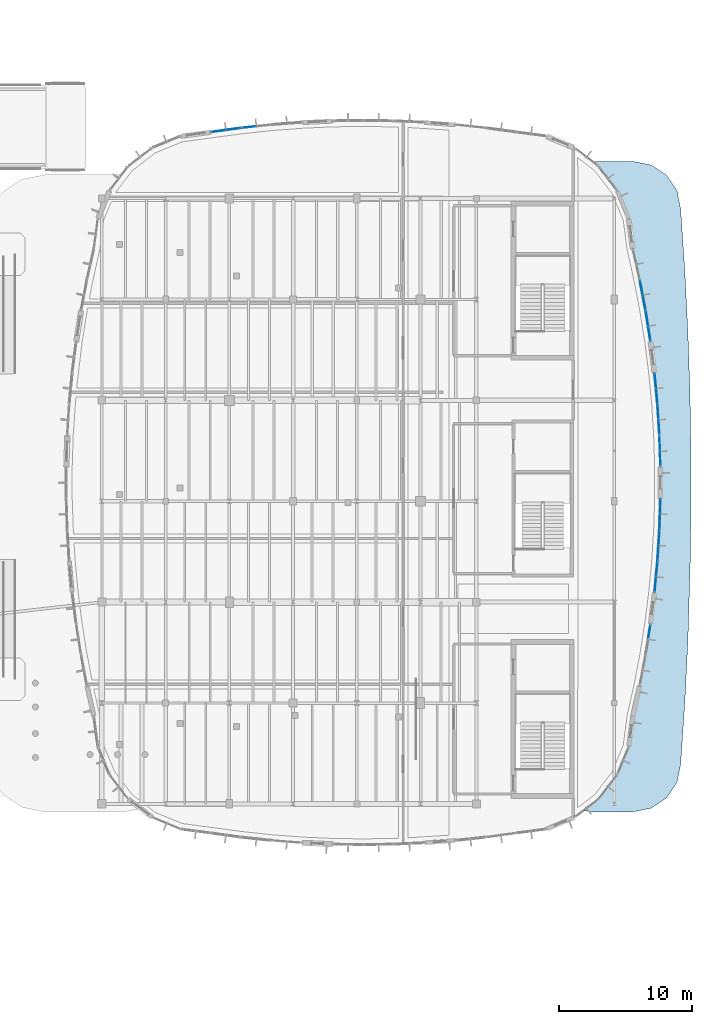
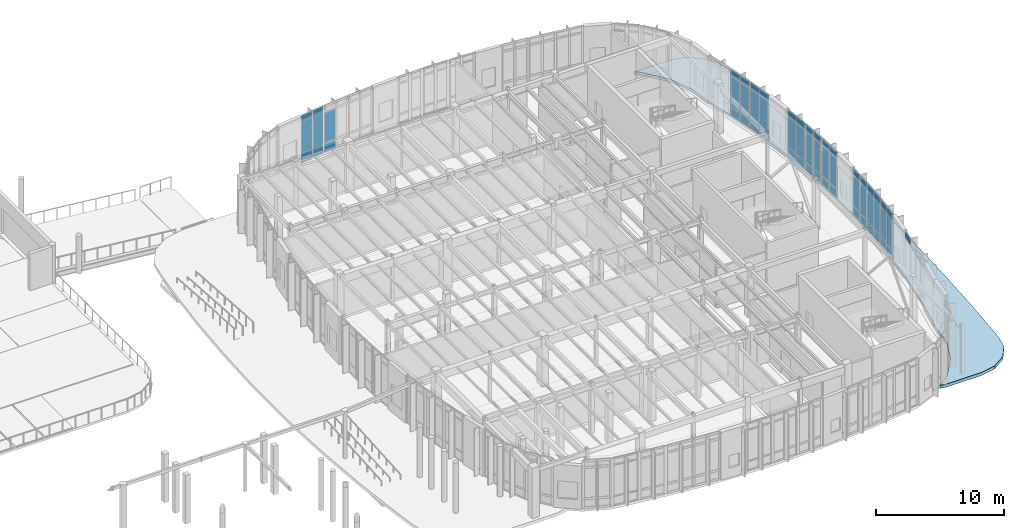
# One storey, part 84 of 120: 57 plates, 1 slab, 11 elements without a shape of their own.
"""IFC4 building model written with IfcOpenShell, lengths in metres."""

from ifc_helpers import new_model, si_unit, direction, frame, origin, origin_2d, place, context, subcontext, project, spatial, polyline, rectangle, outline, extrude, material, layer, layer_set, type_object, element, aggregate, save


model = new_model("IFC4")

# Units and contexts
model_context = context("Model", 3, precision=1e-05, world=origin(), true_north=direction((0.0, 1.0)))
body_context = subcontext(model_context, "Body", "Model", "MODEL_VIEW")
ifc_project = project(units=[si_unit("LENGTHUNIT", "METRE"), si_unit("AREAUNIT", "SQUARE_METRE"), si_unit("VOLUMEUNIT", "CUBIC_METRE"), si_unit("PLANEANGLEUNIT", "RADIAN"), si_unit("MASSUNIT", "GRAM", prefix="KILO")], contexts=[model_context])

# Site, building, storey
site_placement = place(None, origin())
site = spatial("IfcSite", under=ifc_project, at=site_placement, CompositionType="ELEMENT")
building_placement = place(site_placement, origin())
building = spatial("IfcBuilding", under=site, at=building_placement, Name="Corveleigh Park Community Centre", CompositionType="ELEMENT")
storey_placement = place(building_placement, origin())
storey = spatial("IfcBuildingStorey", under=building, at=storey_placement, Name="L00", CompositionType="ELEMENT", Elevation=0.0)

# Curtain wall, plate
ifc_material_1 = material(Name="Anodised aluminium 6063-T6", Category="aluminium")
curtain_wall_type = type_object("IfcCurtainWallType", Name="CW-SYS-V4-L00", PredefinedType="NOTDEFINED", material=ifc_material_1)
curtain_wall_1_placement = place(storey_placement, origin())
curtain_wall_1 = element("IfcCurtainWall", 1, at=curtain_wall_1_placement, inside=storey, type_object=curtain_wall_type, Name="V4 L00 Curtain Wall 121", PredefinedType="NOTDEFINED")
ifc_material_2 = material(Name="Low-E double glazing", Category="glass")
ifc_layer_1 = layer(ifc_material_2, 0.02392578125, Name="Low-E double glazing", Category="glass")
ifc_layer_set_1 = layer_set([ifc_layer_1], Name="Low-E double glazing")
plate_type_1 = type_object("IfcPlateType", Name="CWP-GLZ-24", PredefinedType="CURTAIN_PANEL", material=ifc_layer_set_1)
plate_1_placement = place(storey_placement, frame((171.037353515625, 71.572998046875, 3.89208984375), z_axis=(0.0, 0.0, 1.0), x_axis=(-0.157011297563, -0.987596806616, 0.0)))
plate_1 = element("IfcPlate", 2, at=plate_1_placement, type_object=plate_type_1, Name="CW07 panel 1.3", PredefinedType="CURTAIN_PANEL", context=body_context, shape_type="SweptSolid", body=[
    extrude(rectangle(XDim=1.0849609375, YDim=0.02392578125, at=origin_2d()), origin(), (0.0, 0.0, 1.0), 0.56005859375),
])
aggregate(curtain_wall_1, [plate_1])

# Curtain wall, plates
curtain_wall_2_placement = place(storey_placement, origin())
curtain_wall_2 = element("IfcCurtainWall", 3, at=curtain_wall_2_placement, inside=storey, type_object=curtain_wall_type, Name="V4 L00 Curtain Wall 122", PredefinedType="NOTDEFINED")
plate_2_placement = place(storey_placement, frame((171.59619140625, 76.27490234375, 0.06494140625), z_axis=(0.0, 0.0, 1.0), x_axis=(-0.094026030916, -0.995569739149, 0.0)))
plate_2 = element("IfcPlate", 4, at=plate_2_placement, type_object=plate_type_1, Name="CW07 panel 1.1", PredefinedType="CURTAIN_PANEL", context=body_context, shape_type="SweptSolid", body=[
    extrude(rectangle(XDim=1.07763671875, YDim=0.02392578125, at=origin_2d()), origin(), (0.0, 0.0, 1.0), 0.802490234375),
])
plate_3_placement = place(storey_placement, frame((171.59619140625, 76.27490234375, 0.9326171875), z_axis=(0.0, 0.0, 1.0), x_axis=(-0.094026030916, -0.995569739149, 0.0)))
plate_3 = element("IfcPlate", 5, at=plate_3_placement, type_object=plate_type_1, Name="CW07 panel 1.2", PredefinedType="CURTAIN_PANEL", context=body_context, shape_type="SweptSolid", body=[
    extrude(rectangle(XDim=1.07763671875, YDim=0.02392578125, at=origin_2d()), origin(), (0.0, 0.0, 1.0), 2.89697265625),
])
plate_4_placement = place(storey_placement, frame((171.59619140625, 76.27490234375, 3.89453125), z_axis=(0.0, 0.0, 1.0), x_axis=(-0.094026030916, -0.995569739149, 0.0)))
plate_4 = element("IfcPlate", 6, at=plate_4_placement, type_object=plate_type_1, Name="CW07 panel 1.3", PredefinedType="CURTAIN_PANEL", context=body_context, shape_type="SweptSolid", body=[
    extrude(rectangle(XDim=1.07763671875, YDim=0.02392578125, at=origin_2d()), origin(), (0.0, 0.0, 1.0), 0.552490234375),
])
plate_5_placement = place(storey_placement, frame((171.48876953125, 75.13720703125, 0.06494140625), z_axis=(0.0, 0.0, 1.0), x_axis=(-0.094026030916, -0.995569739149, 0.0)))
plate_5 = element("IfcPlate", 7, at=plate_5_placement, type_object=plate_type_1, Name="CW07 panel 2.1", PredefinedType="CURTAIN_PANEL", context=body_context, shape_type="SweptSolid", body=[
    extrude(rectangle(XDim=1.07763671875, YDim=0.02392578125, at=origin_2d()), origin(), (0.0, 0.0, 1.0), 0.802490234375),
])
plate_6_placement = place(storey_placement, frame((171.48876953125, 75.13720703125, 0.9326171875), z_axis=(0.0, 0.0, 1.0), x_axis=(-0.094026030916, -0.995569739149, 0.0)))
plate_6 = element("IfcPlate", 8, at=plate_6_placement, type_object=plate_type_1, Name="CW07 panel 2.2", PredefinedType="CURTAIN_PANEL", context=body_context, shape_type="SweptSolid", body=[
    extrude(rectangle(XDim=1.07763671875, YDim=0.02392578125, at=origin_2d()), origin(), (0.0, 0.0, 1.0), 2.89697265625),
])
plate_7_placement = place(storey_placement, frame((171.48876953125, 75.13720703125, 3.89453125), z_axis=(0.0, 0.0, 1.0), x_axis=(-0.094026030916, -0.995569739149, 0.0)))
plate_7 = element("IfcPlate", 9, at=plate_7_placement, type_object=plate_type_1, Name="CW07 panel 2.3", PredefinedType="CURTAIN_PANEL", context=body_context, shape_type="SweptSolid", body=[
    extrude(rectangle(XDim=1.07763671875, YDim=0.02392578125, at=origin_2d()), origin(), (0.0, 0.0, 1.0), 0.552490234375),
])
aggregate(curtain_wall_2, [plate_2, plate_3, plate_4, plate_5, plate_6, plate_7])

curtain_wall_3_placement = place(storey_placement, origin())
curtain_wall_3 = element("IfcCurtainWall", 10, at=curtain_wall_3_placement, inside=storey, type_object=curtain_wall_type, Name="V4 L00 Curtain Wall 123", PredefinedType="NOTDEFINED")
ifc_layer_2 = layer(ifc_material_2, 0.028076171875, Name="Low-E double glazing", Category="glass")
ifc_layer_set_2 = layer_set([ifc_layer_2], Name="Low-E double glazing")
plate_type_2 = type_object("IfcPlateType", Name="CWP-GLZ-28", PredefinedType="CURTAIN_PANEL", material=ifc_layer_set_2)
plate_8_placement = place(storey_placement, frame((171.76416015625, 78.63525390625, 0.070068359375), z_axis=(0.0, 0.0, 1.0), x_axis=(-0.062563762233, -0.998040968926, 0.0)))
plate_8 = element("IfcPlate", 11, at=plate_8_placement, type_object=plate_type_2, Name="CW07 panel 1.1", PredefinedType="CURTAIN_PANEL", context=body_context, shape_type="SweptSolid", body=[
    extrude(rectangle(XDim=1.06982421875, YDim=0.028076171875, at=origin_2d()), origin(), (0.0, 0.0, 1.0), 0.794921875),
])
plate_9_placement = place(storey_placement, frame((171.76416015625, 78.63525390625, 0.93505859375), z_axis=(0.0, 0.0, 1.0), x_axis=(-0.062563762233, -0.998040968926, 0.0)))
plate_9 = element("IfcPlate", 12, at=plate_9_placement, type_object=plate_type_2, Name="CW07 panel 1.2", PredefinedType="CURTAIN_PANEL", context=body_context, shape_type="SweptSolid", body=[
    extrude(rectangle(XDim=1.06982421875, YDim=0.028076171875, at=origin_2d()), origin(), (0.0, 0.0, 1.0), 2.89208984375),
])
plate_10_placement = place(storey_placement, frame((171.76416015625, 78.63525390625, 3.89697265625), z_axis=(0.0, 0.0, 1.0), x_axis=(-0.062563762233, -0.998040968926, 0.0)))
plate_10 = element("IfcPlate", 13, at=plate_10_placement, type_object=plate_type_2, Name="CW07 panel 1.3", PredefinedType="CURTAIN_PANEL", context=body_context, shape_type="SweptSolid", body=[
    extrude(rectangle(XDim=1.06982421875, YDim=0.028076171875, at=origin_2d()), origin(), (0.0, 0.0, 1.0), 0.544921875),
])
plate_11_placement = place(storey_placement, frame((171.69287109375, 77.497802734375, 0.070068359375), z_axis=(0.0, 0.0, 1.0), x_axis=(-0.062563762233, -0.998040968926, 0.0)))
plate_11 = element("IfcPlate", 14, at=plate_11_placement, type_object=plate_type_2, Name="CW07 panel 2.1", PredefinedType="CURTAIN_PANEL", context=body_context, shape_type="SweptSolid", body=[
    extrude(rectangle(XDim=1.06982421875, YDim=0.028076171875, at=origin_2d()), origin(), (0.0, 0.0, 1.0), 0.794921875),
])
plate_12_placement = place(storey_placement, frame((171.69287109375, 77.497802734375, 0.93505859375), z_axis=(0.0, 0.0, 1.0), x_axis=(-0.062563762233, -0.998040968926, 0.0)))
plate_12 = element("IfcPlate", 15, at=plate_12_placement, type_object=plate_type_2, Name="CW07 panel 2.2", PredefinedType="CURTAIN_PANEL", context=body_context, shape_type="SweptSolid", body=[
    extrude(rectangle(XDim=1.06982421875, YDim=0.028076171875, at=origin_2d()), origin(), (0.0, 0.0, 1.0), 2.89208984375),
])
plate_13_placement = place(storey_placement, frame((171.69287109375, 77.497802734375, 3.89697265625), z_axis=(0.0, 0.0, 1.0), x_axis=(-0.062563762233, -0.998040968926, 0.0)))
plate_13 = element("IfcPlate", 16, at=plate_13_placement, type_object=plate_type_2, Name="CW07 panel 2.3", PredefinedType="CURTAIN_PANEL", context=body_context, shape_type="SweptSolid", body=[
    extrude(rectangle(XDim=1.06982421875, YDim=0.028076171875, at=origin_2d()), origin(), (0.0, 0.0, 1.0), 0.544921875),
])
aggregate(curtain_wall_3, [plate_8, plate_9, plate_10, plate_11, plate_12, plate_13])

curtain_wall_4_placement = place(storey_placement, origin())
curtain_wall_4 = element("IfcCurtainWall", 17, at=curtain_wall_4_placement, inside=storey, type_object=curtain_wall_type, Name="V4 L00 Curtain Wall 124", PredefinedType="NOTDEFINED")
plate_14_placement = place(storey_placement, frame((171.858642578125, 81.000732421875, 0.074951171875), z_axis=(0.0, 0.0, 1.0), x_axis=(-0.031898652394, -0.999491108502, 0.0)))
plate_14 = element("IfcPlate", 18, at=plate_14_placement, type_object=plate_type_2, Name="CW07 panel 1.1", PredefinedType="CURTAIN_PANEL", context=body_context, shape_type="SweptSolid", body=[
    extrude(rectangle(XDim=1.06298828125, YDim=0.028076171875, at=origin_2d()), origin(), (0.0, 0.0, 1.0), 0.78759765625),
])
plate_15_placement = place(storey_placement, frame((171.858642578125, 81.000732421875, 0.9375), z_axis=(0.0, 0.0, 1.0), x_axis=(-0.031898652394, -0.999491108502, 0.0)))
plate_15 = element("IfcPlate", 19, at=plate_15_placement, type_object=plate_type_2, Name="CW07 panel 1.2", PredefinedType="CURTAIN_PANEL", context=body_context, shape_type="SweptSolid", body=[
    extrude(rectangle(XDim=1.06298828125, YDim=0.028076171875, at=origin_2d()), origin(), (0.0, 0.0, 1.0), 2.886962890625),
])
plate_16_placement = place(storey_placement, frame((171.858642578125, 81.000732421875, 3.8994140625), z_axis=(0.0, 0.0, 1.0), x_axis=(-0.031898652394, -0.999491108502, 0.0)))
plate_16 = element("IfcPlate", 20, at=plate_16_placement, type_object=plate_type_2, Name="CW07 panel 1.3", PredefinedType="CURTAIN_PANEL", context=body_context, shape_type="SweptSolid", body=[
    extrude(rectangle(XDim=1.06298828125, YDim=0.028076171875, at=origin_2d()), origin(), (0.0, 0.0, 1.0), 0.53759765625),
])
plate_17_placement = place(storey_placement, frame((171.822265625, 79.86328125, 0.074951171875), z_axis=(0.0, 0.0, 1.0), x_axis=(-0.031898652394, -0.999491108502, 0.0)))
plate_17 = element("IfcPlate", 21, at=plate_17_placement, type_object=plate_type_2, Name="CW07 panel 2.1", PredefinedType="CURTAIN_PANEL", context=body_context, shape_type="SweptSolid", body=[
    extrude(rectangle(XDim=1.06298828125, YDim=0.028076171875, at=origin_2d()), origin(), (0.0, 0.0, 1.0), 0.78759765625),
])
plate_18_placement = place(storey_placement, frame((171.822265625, 79.86328125, 0.9375), z_axis=(0.0, 0.0, 1.0), x_axis=(-0.031898652394, -0.999491108502, 0.0)))
plate_18 = element("IfcPlate", 22, at=plate_18_placement, type_object=plate_type_2, Name="CW07 panel 2.2", PredefinedType="CURTAIN_PANEL", context=body_context, shape_type="SweptSolid", body=[
    extrude(rectangle(XDim=1.06298828125, YDim=0.028076171875, at=origin_2d()), origin(), (0.0, 0.0, 1.0), 2.886962890625),
])
plate_19_placement = place(storey_placement, frame((171.822265625, 79.86328125, 3.8994140625), z_axis=(0.0, 0.0, 1.0), x_axis=(-0.031898652394, -0.999491108502, 0.0)))
plate_19 = element("IfcPlate", 23, at=plate_19_placement, type_object=plate_type_2, Name="CW07 panel 2.3", PredefinedType="CURTAIN_PANEL", context=body_context, shape_type="SweptSolid", body=[
    extrude(rectangle(XDim=1.06298828125, YDim=0.028076171875, at=origin_2d()), origin(), (0.0, 0.0, 1.0), 0.53759765625),
])
aggregate(curtain_wall_4, [plate_14, plate_15, plate_16, plate_17, plate_18, plate_19])

curtain_wall_5_placement = place(storey_placement, origin())
curtain_wall_5 = element("IfcCurtainWall", 24, at=curtain_wall_5_placement, inside=storey, type_object=curtain_wall_type, Name="V4 L00 Curtain Wall 125", PredefinedType="NOTDEFINED")
ifc_layer_3 = layer(ifc_material_2, 0.031982421875, Name="Low-E double glazing", Category="glass")
ifc_layer_set_3 = layer_set([ifc_layer_3], Name="Low-E double glazing")
plate_type_3 = type_object("IfcPlateType", Name="CWP-GLZ-32", PredefinedType="CURTAIN_PANEL", material=ifc_layer_set_3)
plate_20_placement = place(storey_placement, frame((171.822509765625, 85.735595703125, 0.080078125), z_axis=(0.0, 0.0, 1.0), x_axis=(0.031898652394, -0.999491108502, 0.0)))
plate_20 = element("IfcPlate", 25, at=plate_20_placement, type_object=plate_type_3, Name="CW07 panel 1.1", PredefinedType="CURTAIN_PANEL", context=body_context, shape_type="SweptSolid", body=[
    extrude(rectangle(XDim=1.0556640625, YDim=0.031982421875, at=origin_2d()), origin(), (0.0, 0.0, 1.0), 0.780029296875),
])
plate_21_placement = place(storey_placement, frame((171.822509765625, 85.735595703125, 0.93994140625), z_axis=(0.0, 0.0, 1.0), x_axis=(0.031898652394, -0.999491108502, 0.0)))
plate_21 = element("IfcPlate", 26, at=plate_21_placement, type_object=plate_type_3, Name="CW07 panel 1.2", PredefinedType="CURTAIN_PANEL", context=body_context, shape_type="SweptSolid", body=[
    extrude(rectangle(XDim=1.0556640625, YDim=0.031982421875, at=origin_2d()), origin(), (0.0, 0.0, 1.0), 2.882080078125),
])
plate_22_placement = place(storey_placement, frame((171.822509765625, 85.735595703125, 3.90185546875), z_axis=(0.0, 0.0, 1.0), x_axis=(0.031898652394, -0.999491108502, 0.0)))
plate_22 = element("IfcPlate", 27, at=plate_22_placement, type_object=plate_type_3, Name="CW07 panel 1.3", PredefinedType="CURTAIN_PANEL", context=body_context, shape_type="SweptSolid", body=[
    extrude(rectangle(XDim=1.0556640625, YDim=0.031982421875, at=origin_2d()), origin(), (0.0, 0.0, 1.0), 0.530029296875),
])
plate_23_placement = place(storey_placement, frame((171.858642578125, 84.6005859375, 0.080078125), z_axis=(0.0, 0.0, 1.0), x_axis=(0.031898652394, -0.999491108502, 0.0)))
plate_23 = element("IfcPlate", 28, at=plate_23_placement, type_object=plate_type_3, Name="CW07 panel 2.1", PredefinedType="CURTAIN_PANEL", context=body_context, shape_type="SweptSolid", body=[
    extrude(rectangle(XDim=1.0556640625, YDim=0.031982421875, at=origin_2d()), origin(), (0.0, 0.0, 1.0), 0.780029296875),
])
plate_24_placement = place(storey_placement, frame((171.858642578125, 84.6005859375, 0.93994140625), z_axis=(0.0, 0.0, 1.0), x_axis=(0.031898652394, -0.999491108502, 0.0)))
plate_24 = element("IfcPlate", 29, at=plate_24_placement, type_object=plate_type_3, Name="CW07 panel 2.2", PredefinedType="CURTAIN_PANEL", context=body_context, shape_type="SweptSolid", body=[
    extrude(rectangle(XDim=1.0556640625, YDim=0.031982421875, at=origin_2d()), origin(), (0.0, 0.0, 1.0), 2.882080078125),
])
plate_25_placement = place(storey_placement, frame((171.858642578125, 84.6005859375, 3.90185546875), z_axis=(0.0, 0.0, 1.0), x_axis=(0.031898652394, -0.999491108502, 0.0)))
plate_25 = element("IfcPlate", 30, at=plate_25_placement, type_object=plate_type_3, Name="CW07 panel 2.3", PredefinedType="CURTAIN_PANEL", context=body_context, shape_type="SweptSolid", body=[
    extrude(rectangle(XDim=1.0556640625, YDim=0.031982421875, at=origin_2d()), origin(), (0.0, 0.0, 1.0), 0.530029296875),
])
aggregate(curtain_wall_5, [plate_20, plate_21, plate_22, plate_23, plate_24, plate_25])

curtain_wall_6_placement = place(storey_placement, origin())
curtain_wall_6 = element("IfcCurtainWall", 31, at=curtain_wall_6_placement, inside=storey, type_object=curtain_wall_type, Name="V4 L00 Curtain Wall 126", PredefinedType="NOTDEFINED")
plate_26_placement = place(storey_placement, frame((171.693115234375, 88.0986328125, 0.06005859375), z_axis=(0.0, 0.0, 1.0), x_axis=(0.062563762233, -0.998040968926, 0.0)))
plate_26 = element("IfcPlate", 32, at=plate_26_placement, type_object=plate_type_3, Name="CW07 panel 1.1", PredefinedType="CURTAIN_PANEL", context=body_context, shape_type="SweptSolid", body=[
    extrude(rectangle(XDim=1.04736328125, YDim=0.031982421875, at=origin_2d()), origin(), (0.0, 0.0, 1.0), 0.81005859375),
])
plate_27_placement = place(storey_placement, frame((171.693115234375, 88.0986328125, 0.93017578125), z_axis=(0.0, 0.0, 1.0), x_axis=(0.062563762233, -0.998040968926, 0.0)))
plate_27 = element("IfcPlate", 33, at=plate_27_placement, type_object=plate_type_3, Name="CW07 panel 1.2", PredefinedType="CURTAIN_PANEL", context=body_context, shape_type="SweptSolid", body=[
    extrude(rectangle(XDim=1.04736328125, YDim=0.031982421875, at=origin_2d()), origin(), (0.0, 0.0, 1.0), 2.902099609375),
])
plate_28_placement = place(storey_placement, frame((171.693115234375, 88.0986328125, 3.89208984375), z_axis=(0.0, 0.0, 1.0), x_axis=(0.062563762233, -0.998040968926, 0.0)))
plate_28 = element("IfcPlate", 34, at=plate_28_placement, type_object=plate_type_3, Name="CW07 panel 1.3", PredefinedType="CURTAIN_PANEL", context=body_context, shape_type="SweptSolid", body=[
    extrude(rectangle(XDim=1.04736328125, YDim=0.031982421875, at=origin_2d()), origin(), (0.0, 0.0, 1.0), 0.56005859375),
])
plate_29_placement = place(storey_placement, frame((171.763916015625, 86.968505859375, 0.06005859375), z_axis=(0.0, 0.0, 1.0), x_axis=(0.062563762233, -0.998040968926, 0.0)))
plate_29 = element("IfcPlate", 35, at=plate_29_placement, type_object=plate_type_3, Name="CW07 panel 2.1", PredefinedType="CURTAIN_PANEL", context=body_context, shape_type="SweptSolid", body=[
    extrude(rectangle(XDim=1.04736328125, YDim=0.031982421875, at=origin_2d()), origin(), (0.0, 0.0, 1.0), 0.81005859375),
])
plate_30_placement = place(storey_placement, frame((171.763916015625, 86.968505859375, 0.93017578125), z_axis=(0.0, 0.0, 1.0), x_axis=(0.062563762233, -0.998040968926, 0.0)))
plate_30 = element("IfcPlate", 36, at=plate_30_placement, type_object=plate_type_3, Name="CW07 panel 2.2", PredefinedType="CURTAIN_PANEL", context=body_context, shape_type="SweptSolid", body=[
    extrude(rectangle(XDim=1.04736328125, YDim=0.031982421875, at=origin_2d()), origin(), (0.0, 0.0, 1.0), 2.902099609375),
])
plate_31_placement = place(storey_placement, frame((171.763916015625, 86.968505859375, 3.89208984375), z_axis=(0.0, 0.0, 1.0), x_axis=(0.062563762233, -0.998040968926, 0.0)))
plate_31 = element("IfcPlate", 37, at=plate_31_placement, type_object=plate_type_3, Name="CW07 panel 2.3", PredefinedType="CURTAIN_PANEL", context=body_context, shape_type="SweptSolid", body=[
    extrude(rectangle(XDim=1.04736328125, YDim=0.031982421875, at=origin_2d()), origin(), (0.0, 0.0, 1.0), 0.56005859375),
])
aggregate(curtain_wall_6, [plate_26, plate_27, plate_28, plate_29, plate_30, plate_31])

curtain_wall_7_placement = place(storey_placement, origin())
curtain_wall_7 = element("IfcCurtainWall", 38, at=curtain_wall_7_placement, inside=storey, type_object=curtain_wall_type, Name="V4 L00 Curtain Wall 127", PredefinedType="NOTDEFINED")
ifc_layer_4 = layer(ifc_material_2, 0.035888671875, Name="Low-E double glazing", Category="glass")
ifc_layer_set_4 = layer_set([ifc_layer_4], Name="Low-E double glazing")
plate_type_4 = type_object("IfcPlateType", Name="CWP-GLZ-36", PredefinedType="CURTAIN_PANEL", material=ifc_layer_set_4)
plate_32_placement = place(storey_placement, frame((171.48876953125, 90.464111328125, 0.06494140625), z_axis=(0.0, 0.0, 1.0), x_axis=(0.094026030916, -0.995569739149, 0.0)))
plate_32 = element("IfcPlate", 39, at=plate_32_placement, type_object=plate_type_4, Name="CW07 panel 1.1", PredefinedType="CURTAIN_PANEL", context=body_context, shape_type="SweptSolid", body=[
    extrude(rectangle(XDim=1.085205078125, YDim=0.035888671875, at=origin_2d()), origin(), (0.0, 0.0, 1.0), 0.802490234375),
])
plate_33_placement = place(storey_placement, frame((171.48876953125, 90.464111328125, 0.9326171875), z_axis=(0.0, 0.0, 1.0), x_axis=(0.094026030916, -0.995569739149, 0.0)))
plate_33 = element("IfcPlate", 40, at=plate_33_placement, type_object=plate_type_4, Name="CW07 panel 1.2", PredefinedType="CURTAIN_PANEL", context=body_context, shape_type="SweptSolid", body=[
    extrude(rectangle(XDim=1.085205078125, YDim=0.035888671875, at=origin_2d()), origin(), (0.0, 0.0, 1.0), 2.89697265625),
])
plate_34_placement = place(storey_placement, frame((171.48876953125, 90.464111328125, 3.89453125), z_axis=(0.0, 0.0, 1.0), x_axis=(0.094026030916, -0.995569739149, 0.0)))
plate_34 = element("IfcPlate", 41, at=plate_34_placement, type_object=plate_type_4, Name="CW07 panel 1.3", PredefinedType="CURTAIN_PANEL", context=body_context, shape_type="SweptSolid", body=[
    extrude(rectangle(XDim=1.085205078125, YDim=0.035888671875, at=origin_2d()), origin(), (0.0, 0.0, 1.0), 0.552490234375),
])
plate_35_placement = place(storey_placement, frame((171.596435546875, 89.323974609375, 0.06494140625), z_axis=(0.0, 0.0, 1.0), x_axis=(0.094026030916, -0.995569739149, 0.0)))
plate_35 = element("IfcPlate", 42, at=plate_35_placement, type_object=plate_type_4, Name="CW07 panel 2.1", PredefinedType="CURTAIN_PANEL", context=body_context, shape_type="SweptSolid", body=[
    extrude(rectangle(XDim=1.085205078125, YDim=0.035888671875, at=origin_2d()), origin(), (0.0, 0.0, 1.0), 0.802490234375),
])
plate_36_placement = place(storey_placement, frame((171.596435546875, 89.323974609375, 0.9326171875), z_axis=(0.0, 0.0, 1.0), x_axis=(0.094026030916, -0.995569739149, 0.0)))
plate_36 = element("IfcPlate", 43, at=plate_36_placement, type_object=plate_type_4, Name="CW07 panel 2.2", PredefinedType="CURTAIN_PANEL", context=body_context, shape_type="SweptSolid", body=[
    extrude(rectangle(XDim=1.085205078125, YDim=0.035888671875, at=origin_2d()), origin(), (0.0, 0.0, 1.0), 2.89697265625),
])
plate_37_placement = place(storey_placement, frame((171.596435546875, 89.323974609375, 3.89453125), z_axis=(0.0, 0.0, 1.0), x_axis=(0.094026030916, -0.995569739149, 0.0)))
plate_37 = element("IfcPlate", 44, at=plate_37_placement, type_object=plate_type_4, Name="CW07 panel 2.3", PredefinedType="CURTAIN_PANEL", context=body_context, shape_type="SweptSolid", body=[
    extrude(rectangle(XDim=1.085205078125, YDim=0.035888671875, at=origin_2d()), origin(), (0.0, 0.0, 1.0), 0.552490234375),
])
aggregate(curtain_wall_7, [plate_32, plate_33, plate_34, plate_35, plate_36, plate_37])

curtain_wall_8_placement = place(storey_placement, origin())
curtain_wall_8 = element("IfcCurtainWall", 45, at=curtain_wall_8_placement, inside=storey, type_object=curtain_wall_type, Name="V4 L00 Curtain Wall 128", PredefinedType="NOTDEFINED")
plate_38_placement = place(storey_placement, frame((170.85791015625, 95.15673828125, 0.070068359375), z_axis=(0.0, 0.0, 1.0), x_axis=(0.157011297563, -0.987596806616, 0.0)))
plate_38 = element("IfcPlate", 46, at=plate_38_placement, type_object=plate_type_4, Name="CW07 panel 1.1", PredefinedType="CURTAIN_PANEL", context=body_context, shape_type="SweptSolid", body=[
    extrude(rectangle(XDim=1.07763671875, YDim=0.035888671875, at=origin_2d()), origin(), (0.0, 0.0, 1.0), 0.794921875),
])
plate_39_placement = place(storey_placement, frame((170.85791015625, 95.15673828125, 0.93505859375), z_axis=(0.0, 0.0, 1.0), x_axis=(0.157011297563, -0.987596806616, 0.0)))
plate_39 = element("IfcPlate", 47, at=plate_39_placement, type_object=plate_type_4, Name="CW07 panel 1.2", PredefinedType="CURTAIN_PANEL", context=body_context, shape_type="SweptSolid", body=[
    extrude(rectangle(XDim=1.07763671875, YDim=0.035888671875, at=origin_2d()), origin(), (0.0, 0.0, 1.0), 2.89208984375),
])
plate_40_placement = place(storey_placement, frame((170.85791015625, 95.15673828125, 3.89697265625), z_axis=(0.0, 0.0, 1.0), x_axis=(0.157011297563, -0.987596806616, 0.0)))
plate_40 = element("IfcPlate", 48, at=plate_40_placement, type_object=plate_type_4, Name="CW07 panel 1.3", PredefinedType="CURTAIN_PANEL", context=body_context, shape_type="SweptSolid", body=[
    extrude(rectangle(XDim=1.07763671875, YDim=0.035888671875, at=origin_2d()), origin(), (0.0, 0.0, 1.0), 0.544921875),
])
plate_41_placement = place(storey_placement, frame((171.037109375, 94.0283203125, 0.070068359375), z_axis=(0.0, 0.0, 1.0), x_axis=(0.157011297563, -0.987596806616, 0.0)))
plate_41 = element("IfcPlate", 49, at=plate_41_placement, type_object=plate_type_4, Name="CW07 panel 2.1", PredefinedType="CURTAIN_PANEL", context=body_context, shape_type="SweptSolid", body=[
    extrude(rectangle(XDim=1.07763671875, YDim=0.035888671875, at=origin_2d()), origin(), (0.0, 0.0, 1.0), 0.794921875),
])
plate_42_placement = place(storey_placement, frame((171.037109375, 94.0283203125, 0.93505859375), z_axis=(0.0, 0.0, 1.0), x_axis=(0.157011297563, -0.987596806616, 0.0)))
plate_42 = element("IfcPlate", 50, at=plate_42_placement, type_object=plate_type_4, Name="CW07 panel 2.2", PredefinedType="CURTAIN_PANEL", context=body_context, shape_type="SweptSolid", body=[
    extrude(rectangle(XDim=1.07763671875, YDim=0.035888671875, at=origin_2d()), origin(), (0.0, 0.0, 1.0), 2.89208984375),
])
plate_43_placement = place(storey_placement, frame((171.037109375, 94.0283203125, 3.89697265625), z_axis=(0.0, 0.0, 1.0), x_axis=(0.157011297563, -0.987596806616, 0.0)))
plate_43 = element("IfcPlate", 51, at=plate_43_placement, type_object=plate_type_4, Name="CW07 panel 2.3", PredefinedType="CURTAIN_PANEL", context=body_context, shape_type="SweptSolid", body=[
    extrude(rectangle(XDim=1.07763671875, YDim=0.035888671875, at=origin_2d()), origin(), (0.0, 0.0, 1.0), 0.544921875),
])
aggregate(curtain_wall_8, [plate_38, plate_39, plate_40, plate_41, plate_42, plate_43])

curtain_wall_9_placement = place(storey_placement, origin())
curtain_wall_9 = element("IfcCurtainWall", 52, at=curtain_wall_9_placement, inside=storey, type_object=curtain_wall_type, Name="V4 L00 Curtain Wall 140", PredefinedType="NOTDEFINED")
plate_44_placement = place(storey_placement, frame((140.881591796875, 109.578369140625, 0.080078125), z_axis=(0.0, 0.0, 1.0), x_axis=(0.994358586711, 0.106070735992, 0.0)))
plate_44 = element("IfcPlate", 53, at=plate_44_placement, type_object=plate_type_4, Name="CW07 panel 1.1", PredefinedType="CURTAIN_PANEL", context=body_context, shape_type="SweptSolid", body=[
    extrude(rectangle(XDim=1.0478515625, YDim=0.035888671875, at=origin_2d()), origin(), (0.0, 0.0, 1.0), 0.780029296875),
])
plate_45_placement = place(storey_placement, frame((140.881591796875, 109.578369140625, 0.93994140625), z_axis=(0.0, 0.0, 1.0), x_axis=(0.994358586711, 0.106070735992, 0.0)))
plate_45 = element("IfcPlate", 54, at=plate_45_placement, type_object=plate_type_4, Name="CW07 panel 1.2", PredefinedType="CURTAIN_PANEL", context=body_context, shape_type="SweptSolid", body=[
    extrude(rectangle(XDim=1.0478515625, YDim=0.035888671875, at=origin_2d()), origin(), (0.0, 0.0, 1.0), 2.882080078125),
])
aggregate(curtain_wall_9, [plate_44, plate_45])

curtain_wall_10_placement = place(storey_placement, origin())
curtain_wall_10 = element("IfcCurtainWall", 55, at=curtain_wall_10_placement, inside=storey, type_object=curtain_wall_type, Name="V4 L00 Curtain Wall 129", PredefinedType="NOTDEFINED")
ifc_layer_5 = layer(ifc_material_2, 0.0400390625, Name="Low-E double glazing", Category="glass")
ifc_layer_set_5 = layer_set([ifc_layer_5], Name="Low-E double glazing")
plate_type_5 = type_object("IfcPlateType", Name="CWP-GLZ-40", PredefinedType="CURTAIN_PANEL", material=ifc_layer_set_5)
plate_46_placement = place(storey_placement, frame((170.433349609375, 97.485595703125, 0.074951171875), z_axis=(0.0, 0.0, 1.0), x_axis=(0.187190304951, -0.982323668519, 0.0)))
plate_46 = element("IfcPlate", 56, at=plate_46_placement, type_object=plate_type_5, Name="CW07 panel 1.1", PredefinedType="CURTAIN_PANEL", context=body_context, shape_type="SweptSolid", body=[
    extrude(rectangle(XDim=1.0703125, YDim=0.0400390625, at=origin_2d()), origin(), (0.0, 0.0, 1.0), 0.78759765625),
])
plate_47_placement = place(storey_placement, frame((170.433349609375, 97.485595703125, 0.9375), z_axis=(0.0, 0.0, 1.0), x_axis=(0.187190304951, -0.982323668519, 0.0)))
plate_47 = element("IfcPlate", 57, at=plate_47_placement, type_object=plate_type_5, Name="CW07 panel 1.2", PredefinedType="CURTAIN_PANEL", context=body_context, shape_type="SweptSolid", body=[
    extrude(rectangle(XDim=1.0703125, YDim=0.0400390625, at=origin_2d()), origin(), (0.0, 0.0, 1.0), 2.886962890625),
])
plate_48_placement = place(storey_placement, frame((170.433349609375, 97.485595703125, 3.8994140625), z_axis=(0.0, 0.0, 1.0), x_axis=(0.187190304951, -0.982323668519, 0.0)))
plate_48 = element("IfcPlate", 58, at=plate_48_placement, type_object=plate_type_5, Name="CW07 panel 1.3", PredefinedType="CURTAIN_PANEL", context=body_context, shape_type="SweptSolid", body=[
    extrude(rectangle(XDim=1.0703125, YDim=0.0400390625, at=origin_2d()), origin(), (0.0, 0.0, 1.0), 0.53759765625),
])
plate_49_placement = place(storey_placement, frame((170.646728515625, 96.365478515625, 0.074951171875), z_axis=(0.0, 0.0, 1.0), x_axis=(0.187190304951, -0.982323668519, 0.0)))
plate_49 = element("IfcPlate", 59, at=plate_49_placement, type_object=plate_type_5, Name="CW07 panel 2.1", PredefinedType="CURTAIN_PANEL", context=body_context, shape_type="SweptSolid", body=[
    extrude(rectangle(XDim=1.0703125, YDim=0.0400390625, at=origin_2d()), origin(), (0.0, 0.0, 1.0), 0.78759765625),
])
plate_50_placement = place(storey_placement, frame((170.646728515625, 96.365478515625, 0.9375), z_axis=(0.0, 0.0, 1.0), x_axis=(0.187190304951, -0.982323668519, 0.0)))
plate_50 = element("IfcPlate", 60, at=plate_50_placement, type_object=plate_type_5, Name="CW07 panel 2.2", PredefinedType="CURTAIN_PANEL", context=body_context, shape_type="SweptSolid", body=[
    extrude(rectangle(XDim=1.0703125, YDim=0.0400390625, at=origin_2d()), origin(), (0.0, 0.0, 1.0), 2.886962890625),
])
plate_51_placement = place(storey_placement, frame((170.646728515625, 96.365478515625, 3.8994140625), z_axis=(0.0, 0.0, 1.0), x_axis=(0.187190304951, -0.982323668519, 0.0)))
plate_51 = element("IfcPlate", 61, at=plate_51_placement, type_object=plate_type_5, Name="CW07 panel 2.3", PredefinedType="CURTAIN_PANEL", context=body_context, shape_type="SweptSolid", body=[
    extrude(rectangle(XDim=1.0703125, YDim=0.0400390625, at=origin_2d()), origin(), (0.0, 0.0, 1.0), 0.53759765625),
])
aggregate(curtain_wall_10, [plate_46, plate_47, plate_48, plate_49, plate_50, plate_51])

curtain_wall_11_placement = place(storey_placement, origin())
curtain_wall_11 = element("IfcCurtainWall", 62, at=curtain_wall_11_placement, inside=storey, type_object=curtain_wall_type, Name="V4 L00 Curtain Wall 141", PredefinedType="NOTDEFINED")
plate_52_placement = place(storey_placement, frame((138.592041015625, 109.28173828125, 0.06005859375), z_axis=(0.0, 0.0, 1.0), x_axis=(0.990635375791, 0.136534069852, 0.0)))
plate_52 = element("IfcPlate", 63, at=plate_52_placement, type_object=plate_type_5, Name="CW07 panel 1.1", PredefinedType="CURTAIN_PANEL", context=body_context, shape_type="SweptSolid", body=[
    extrude(rectangle(XDim=1.041259765625, YDim=0.0400390625, at=origin_2d()), origin(), (0.0, 0.0, 1.0), 0.81005859375),
])
plate_53_placement = place(storey_placement, frame((138.592041015625, 109.28173828125, 0.93017578125), z_axis=(0.0, 0.0, 1.0), x_axis=(0.990635375791, 0.136534069852, 0.0)))
plate_53 = element("IfcPlate", 64, at=plate_53_placement, type_object=plate_type_5, Name="CW07 panel 1.2", PredefinedType="CURTAIN_PANEL", context=body_context, shape_type="SweptSolid", body=[
    extrude(rectangle(XDim=1.041259765625, YDim=0.0400390625, at=origin_2d()), origin(), (0.0, 0.0, 1.0), 2.927001953125),
])
plate_54_placement = place(storey_placement, frame((138.592041015625, 109.28173828125, 3.9169921875), z_axis=(0.0, 0.0, 1.0), x_axis=(0.990635375791, 0.136534069852, 0.0)))
plate_54 = element("IfcPlate", 65, at=plate_54_placement, type_object=plate_type_5, Name="CW07 panel 1.3", PredefinedType="CURTAIN_PANEL", context=body_context, shape_type="SweptSolid", body=[
    extrude(rectangle(XDim=1.041259765625, YDim=0.0400390625, at=origin_2d()), origin(), (0.0, 0.0, 1.0), 0.56005859375),
])
plate_55_placement = place(storey_placement, frame((139.69287109375, 109.433349609375, 0.06005859375), z_axis=(0.0, 0.0, 1.0), x_axis=(0.990635375791, 0.136534069852, 0.0)))
plate_55 = element("IfcPlate", 66, at=plate_55_placement, type_object=plate_type_5, Name="CW07 panel 2.1", PredefinedType="CURTAIN_PANEL", context=body_context, shape_type="SweptSolid", body=[
    extrude(rectangle(XDim=1.041259765625, YDim=0.0400390625, at=origin_2d()), origin(), (0.0, 0.0, 1.0), 0.81005859375),
])
plate_56_placement = place(storey_placement, frame((139.69287109375, 109.433349609375, 0.93017578125), z_axis=(0.0, 0.0, 1.0), x_axis=(0.990635375791, 0.136534069852, 0.0)))
plate_56 = element("IfcPlate", 67, at=plate_56_placement, type_object=plate_type_5, Name="CW07 panel 2.2", PredefinedType="CURTAIN_PANEL", context=body_context, shape_type="SweptSolid", body=[
    extrude(rectangle(XDim=1.041259765625, YDim=0.0400390625, at=origin_2d()), origin(), (0.0, 0.0, 1.0), 2.927001953125),
])
plate_57_placement = place(storey_placement, frame((139.69287109375, 109.433349609375, 3.9169921875), z_axis=(0.0, 0.0, 1.0), x_axis=(0.990635375791, 0.136534069852, 0.0)))
plate_57 = element("IfcPlate", 68, at=plate_57_placement, type_object=plate_type_5, Name="CW07 panel 2.3", PredefinedType="CURTAIN_PANEL", context=body_context, shape_type="SweptSolid", body=[
    extrude(rectangle(XDim=1.041259765625, YDim=0.0400390625, at=origin_2d()), origin(), (0.0, 0.0, 1.0), 0.56005859375),
])
aggregate(curtain_wall_11, [plate_52, plate_53, plate_54, plate_55, plate_56, plate_57])

# Slab
ifc_material_3 = material(Name="Concrete C32/40", Category="concrete")
ifc_layer_6 = layer(ifc_material_3, 0.2900390625, Name="Concrete C32/40", Category="concrete")
ifc_layer_set_6 = layer_set([ifc_layer_6], Name="Concrete C32/40")
slab_type = type_object("IfcSlabType", Name="SLB-APR-290", PredefinedType="FLOOR", material=ifc_layer_set_6)
slab_placement = place(storey_placement, frame((0.0, 0.0, -0.2900390625)))
element("IfcSlab", 69, at=slab_placement, inside=storey, type_object=slab_type, Name="East Parkside Promenade Apron", PredefinedType="FLOOR", context=body_context, shape_type="SweptSolid", body=[
    extrude(outline(polyline([(166.7880859375, 107.0009765625), (169.800048828125, 107.0), (171.177978515625, 106.72607421875), (172.345947265625, 105.946044921875), (173.1259765625, 104.778076171875), (173.39990234375, 103.39990234375), (173.7119140625, 98.761962890625), (173.946044921875, 94.118896484375), (174.10205078125, 89.472900390625), (174.179931640625, 84.823974609375), (174.14990234375, 77.85107421875), (173.946044921875, 70.881103515625), (173.7119140625, 66.238037109375), (173.39990234375, 61.60009765625), (173.1259765625, 60.221923828125), (172.345947265625, 59.053955078125), (171.177978515625, 58.27392578125), (169.800048828125, 58.0), (166.60009765625, 58.0), (166.12890625, 58.093994140625), (167.248046875, 58.952880859375), (168.64892578125, 60.779052734375), (169.533935546875, 62.9140625), (169.833984375, 65.194091796875), (170.35205078125, 67.50390625), (170.797119140625, 69.83203125), (171.16796875, 72.173095703125), (171.466064453125, 74.52294921875), (171.68896484375, 76.882080078125), (171.837890625, 79.2470703125), (171.9130859375, 81.614990234375), (171.9130859375, 83.985107421875), (171.837890625, 86.35302734375), (171.68896484375, 88.718017578125), (171.466064453125, 91.076904296875), (171.16796875, 93.427978515625), (170.797119140625, 95.76806640625), (170.35205078125, 98.095947265625), (169.833984375, 100.406005859375), (169.532958984375, 102.68896484375), (168.65087890625, 104.818115234375), (167.2490234375, 106.64599609375), (166.7880859375, 107.0009765625)])), origin(), (0.0, 0.0, 1.0), 0.2900390625),
])

save(model, "model.ifc")
